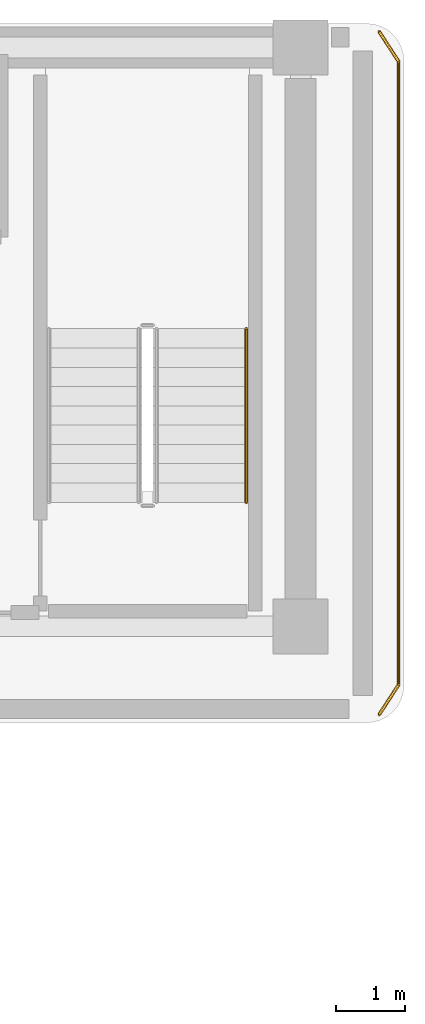
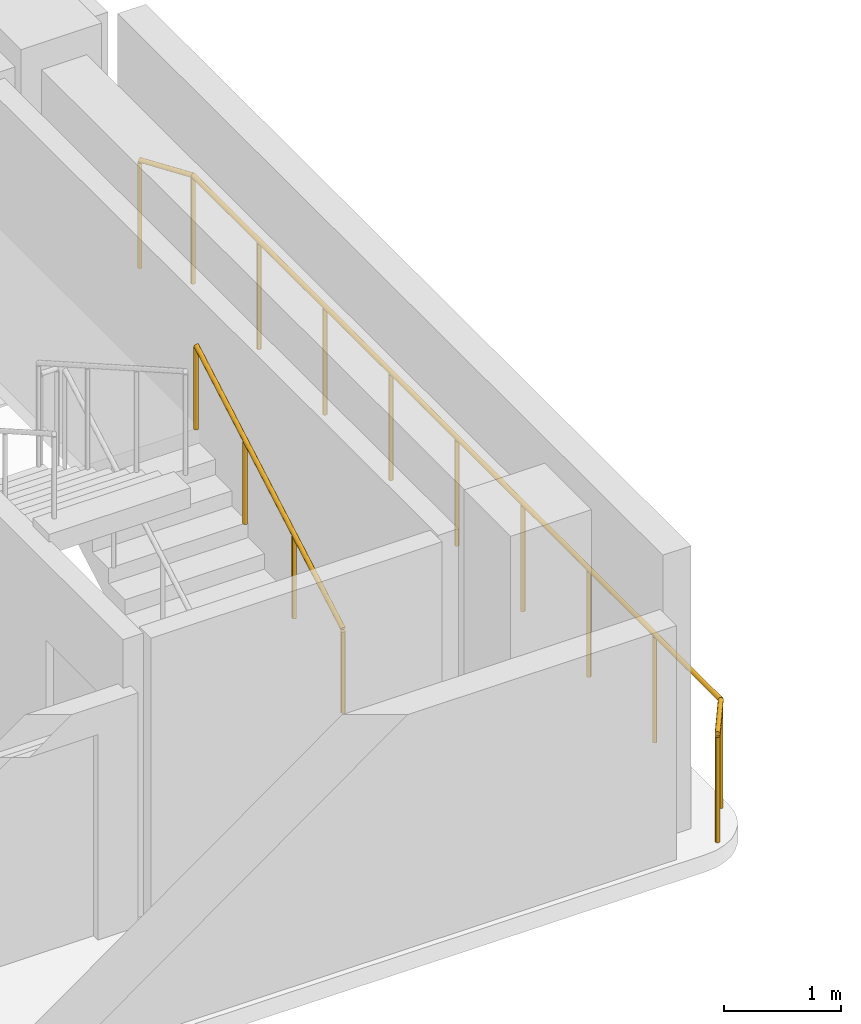
# One storey, part 5 of 5: 4 railings.
"""IFC4 building model written with IfcOpenShell, lengths in metres."""

from ifc_helpers import new_model, si_unit, direction, frame, origin, origin_2d, place, context, subcontext, project, spatial, circle, extrude, material, layer, layer_set, type_object, element, save


model = new_model("IFC4")

# Units and contexts
model_context = context("Model", 3, precision=1e-05, world=origin(), true_north=direction((0.0, 1.0)))
body_context = subcontext(model_context, "Body", "Model", "MODEL_VIEW")
ifc_project = project(units=[si_unit("LENGTHUNIT", "METRE"), si_unit("AREAUNIT", "SQUARE_METRE"), si_unit("VOLUMEUNIT", "CUBIC_METRE"), si_unit("PLANEANGLEUNIT", "RADIAN"), si_unit("MASSUNIT", "GRAM", prefix="KILO")], contexts=[model_context])

# Site, building, storey
site_placement = place(None, origin())
site = spatial("IfcSite", under=ifc_project, at=site_placement, CompositionType="ELEMENT")
building_placement = place(site_placement, origin())
building = spatial("IfcBuilding", under=site, at=building_placement, Name="Kuzgunbayir Cultural Tower", CompositionType="ELEMENT")
storey_placement = place(building_placement, frame((0.0, 0.0, 211.199951171875)))
storey = spatial("IfcBuildingStorey", under=building, at=storey_placement, Name="L62", CompositionType="ELEMENT", Elevation=211.199951171875)

# Railings
ifc_material_1 = material(Name="Laminated Glass and Stainless Steel", Category="steel")
ifc_layer_1 = layer(ifc_material_1, 0.080078125)
ifc_layer_set_1 = layer_set([ifc_layer_1], Name="Laminated Glass and Stainless Steel")
railing_type_1 = type_object("IfcRailingType", Name="RLG-BAL-115", PredefinedType="BALUSTRADE", material=ifc_layer_set_1)
railing_1_placement = place(storey_placement, frame((28.0400390625, 42.429931640625, 0.0)))
element("IfcRailing", 1, at=railing_1_placement, inside=storey, type_object=railing_type_1, Name="L62 Perimeter Edge Guard 1", PredefinedType="BALUSTRADE", context=body_context, shape_type="SweptSolid", body=[
    extrude(circle(Radius=0.02392578125, at=origin_2d()), frame((0.0, 0.0, 1.1259765625), z_axis=(0.545774188207, -0.837932297675, 0.0), x_axis=(0.837932297675, 0.545774188207, 0.0)), (0.0, 0.0, 1.0), 0.51318359375),
    extrude(circle(Radius=0.02099609375, at=origin_2d()), origin(), (0.0, 0.0, 1.0), 1.101806640625),
    extrude(circle(Radius=0.02099609375, at=origin_2d()), frame((0.280029296875, -0.429931640625, 0.0)), (0.0, 0.0, 1.0), 1.101806640625),
])
railing_2_placement = place(storey_placement, frame((28.320068359375, 42.0, 0.0)))
element("IfcRailing", 2, at=railing_2_placement, inside=storey, type_object=railing_type_1, Name="L62 Perimeter Edge Guard 2", PredefinedType="BALUSTRADE", context=body_context, shape_type="SweptSolid", body=[
    extrude(circle(Radius=0.02392578125, at=origin_2d()), frame((0.0, 0.0, 1.1259765625), z_axis=(0.0, -1.0, 0.0), x_axis=(1.0, 0.0, 0.0)), (0.0, 0.0, 1.0), 9.050048828125),
    extrude(circle(Radius=0.02099609375, at=origin_2d()), origin(), (0.0, 0.0, 1.0), 1.101806640625),
    extrude(circle(Radius=0.02099609375, at=origin_2d()), frame((0.0, -1.13134765625, 0.0)), (0.0, 0.0, 1.0), 1.101806640625),
    extrude(circle(Radius=0.02099609375, at=origin_2d()), frame((0.0, -2.262451171875, 0.0)), (0.0, 0.0, 1.0), 1.101806640625),
    extrude(circle(Radius=0.02099609375, at=origin_2d()), frame((0.0, -3.393798828125, 0.0)), (0.0, 0.0, 1.0), 1.101806640625),
    extrude(circle(Radius=0.02099609375, at=origin_2d()), frame((0.0, -4.52490234375, 0.0)), (0.0, 0.0, 1.0), 1.101806640625),
    extrude(circle(Radius=0.02099609375, at=origin_2d()), frame((0.0, -5.65625, 0.0)), (0.0, 0.0, 1.0), 1.101806640625),
    extrude(circle(Radius=0.02099609375, at=origin_2d()), frame((0.0, -6.78759765625, 0.0)), (0.0, 0.0, 1.0), 1.101806640625),
    extrude(circle(Radius=0.02099609375, at=origin_2d()), frame((0.0, -7.918701171875, 0.0)), (0.0, 0.0, 1.0), 1.101806640625),
    extrude(circle(Radius=0.02099609375, at=origin_2d()), frame((0.0, -9.050048828125, 0.0)), (0.0, 0.0, 1.0), 1.101806640625),
])
railing_3_placement = place(storey_placement, frame((28.320068359375, 32.949951171875, 0.0)))
element("IfcRailing", 3, at=railing_3_placement, inside=storey, type_object=railing_type_1, Name="L62 Perimeter Edge Guard 3", PredefinedType="BALUSTRADE", context=body_context, shape_type="SweptSolid", body=[
    extrude(circle(Radius=0.02392578125, at=origin_2d()), frame((0.0, 0.0, 1.1259765625), z_axis=(-0.545774188207, -0.837932297675, 0.0), x_axis=(0.837932297675, -0.545774188207, 0.0)), (0.0, 0.0, 1.0), 0.51318359375),
    extrude(circle(Radius=0.02099609375, at=origin_2d()), origin(), (0.0, 0.0, 1.0), 1.101806640625),
    extrude(circle(Radius=0.02099609375, at=origin_2d()), frame((-0.280029296875, -0.429931640625, 0.0)), (0.0, 0.0, 1.0), 1.101806640625),
])
ifc_material_2 = material(Name="Brushed Stainless Steel", Category="steel")
ifc_layer_2 = layer(ifc_material_2, 0.050048828125)
ifc_layer_set_2 = layer_set([ifc_layer_2], Name="Brushed Stainless Steel")
railing_type_2 = type_object("IfcRailingType", Name="RLG-STAIR-HANDRAIL", PredefinedType="HANDRAIL", material=ifc_layer_set_2)
railing_4_placement = place(storey_placement, frame((26.110107421875, 35.60009765625, 0.16015625)))
element("IfcRailing", 4, at=railing_4_placement, inside=storey, type_object=railing_type_2, Name="L62 ST-2 stair handrail 1", PredefinedType="HANDRAIL", context=body_context, shape_type="SweptSolid", body=[
    extrude(circle(Radius=0.02392578125, at=origin_2d()), frame((0.0, 0.0, 0.8759765625), z_axis=(0.0, 0.868253494771, 0.496120820787), x_axis=(-1.0, 0.0, 0.0)), (0.0, 0.0, 1.0), 2.90234375),
    extrude(circle(Radius=0.02099609375, at=origin_2d()), origin(), (0.0, 0.0, 1.0), 0.851806640625),
    extrude(circle(Radius=0.02099609375, at=origin_2d()), frame((0.0, 0.840087890625, 0.47998046875)), (0.0, 0.0, 1.0), 0.851806640625),
    extrude(circle(Radius=0.02099609375, at=origin_2d()), frame((0.0, 1.679931640625, 0.9599609375)), (0.0, 0.0, 1.0), 0.851806640625),
    extrude(circle(Radius=0.02099609375, at=origin_2d()), frame((0.0, 2.52001953125, 1.43994140625)), (0.0, 0.0, 1.0), 0.851806640625),
])

save(model, "model.ifc")
